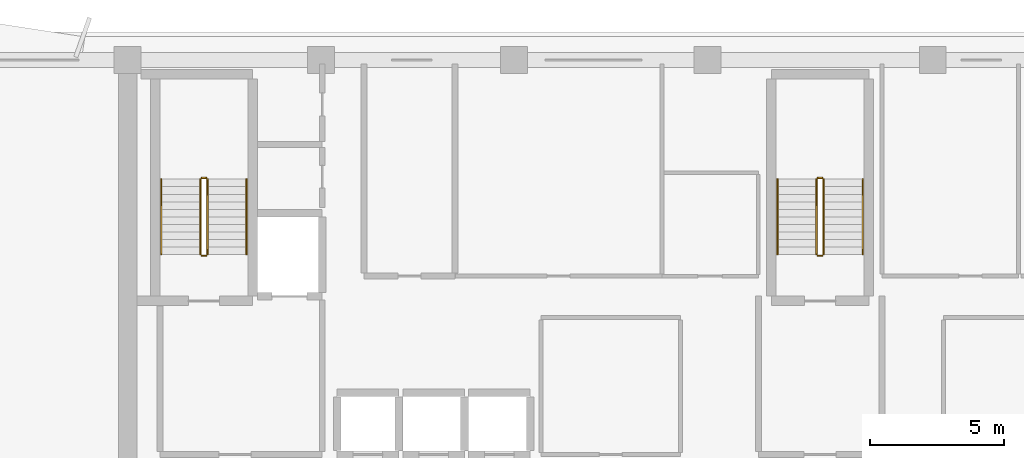
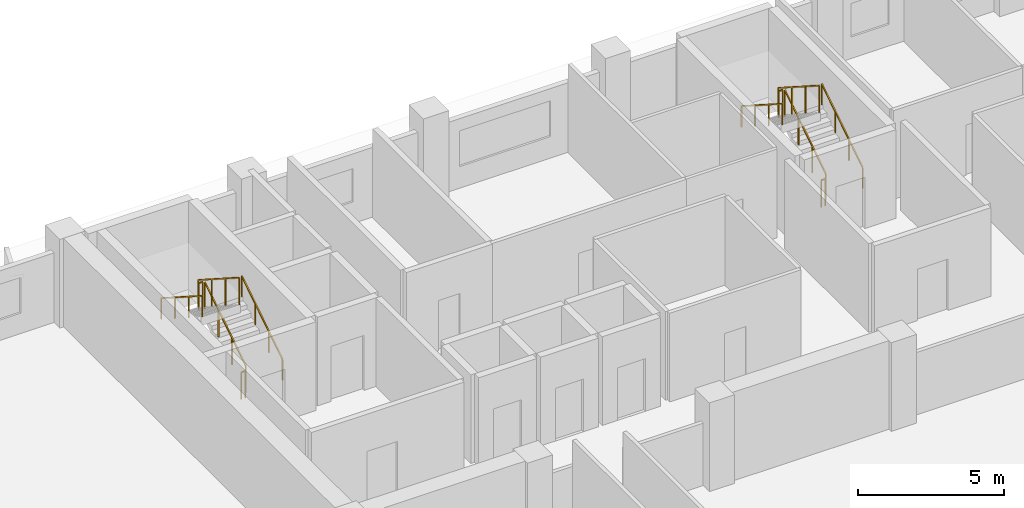
# One storey, part 10 of 11: 12 railings.
"""IFC4 building model written with IfcOpenShell, lengths in metres."""

from ifc_helpers import new_model, si_unit, direction, frame, origin, origin_2d, place, context, subcontext, project, spatial, rectangle, extrude, material, type_object, element, save


model = new_model("IFC4")

# Units and contexts
model_context = context("Model", 3, precision=1e-05, world=origin(), true_north=direction((0.0, 1.0)))
body_context = subcontext(model_context, "Body", "Model", "MODEL_VIEW")
ifc_project = project(units=[si_unit("LENGTHUNIT", "METRE"), si_unit("AREAUNIT", "SQUARE_METRE"), si_unit("VOLUMEUNIT", "CUBIC_METRE"), si_unit("PLANEANGLEUNIT", "RADIAN"), si_unit("MASSUNIT", "GRAM", prefix="KILO")], contexts=[model_context])

# Site, building, storey
site_placement = place(None, origin())
site = spatial("IfcSite", under=ifc_project, at=site_placement, CompositionType="ELEMENT")
building_placement = place(site_placement, origin())
building = spatial("IfcBuilding", under=site, at=building_placement, Name="Kaelvorn Grand Hotel", CompositionType="ELEMENT")
storey_placement = place(building_placement, frame((0.0, 0.0, 241.0)))
storey = spatial("IfcBuildingStorey", under=building, at=storey_placement, Name="L59", CompositionType="ELEMENT", Elevation=241.0)

# Railings
ifc_material = material(Name="Stainless Steel", Category="steel")
railing_type_1 = type_object("IfcRailingType", Name="RL-HANDRAIL-900", PredefinedType="HANDRAIL", material=ifc_material)
railing_1_placement = place(storey_placement, frame((20.6298828125, 41.760009765625, 0.179443359375)))
element("IfcRailing", 1, at=railing_1_placement, inside=storey, type_object=railing_type_1, Name="L59 ST1 stair handrail 1", PredefinedType="HANDRAIL", context=body_context, shape_type="SweptSolid", body=[
    extrude(rectangle(XDim=0.048095703125, YDim=0.048095703125, at=origin_2d()), frame((0.0, 0.0, 0.8759765625), z_axis=(0.0, 0.841776520102, 0.539826166654), x_axis=(-1.0, 0.0, 0.0)), (0.0, 0.0, 1.0), 3.326416015625),
    extrude(rectangle(XDim=0.0419921875, YDim=0.0419921875, at=origin_2d()), origin(), (0.0, 0.0, 1.0), 0.851806640625),
    extrude(rectangle(XDim=0.0419921875, YDim=0.0419921875, at=origin_2d()), frame((0.0, 0.933349609375, 0.5986328125)), (0.0, 0.0, 1.0), 0.851806640625),
    extrude(rectangle(XDim=0.0419921875, YDim=0.0419921875, at=origin_2d()), frame((0.0, 1.86669921875, 1.197021484375)), (0.0, 0.0, 1.0), 0.851806640625),
    extrude(rectangle(XDim=0.0419921875, YDim=0.0419921875, at=origin_2d()), frame((0.0, 2.800048828125, 1.795654296875)), (0.0, 0.0, 1.0), 0.851806640625),
])
railing_2_placement = place(storey_placement, frame((17.449951171875, 44.56005859375, 2.154541015625)))
element("IfcRailing", 2, at=railing_2_placement, inside=storey, type_object=railing_type_1, Name="L59 ST1 stair handrail 2", PredefinedType="HANDRAIL", context=body_context, shape_type="SweptSolid", body=[
    extrude(rectangle(XDim=0.048095703125, YDim=0.048095703125, at=origin_2d()), frame((0.0, 0.0, 0.8759765625), z_axis=(0.0, -0.841809871826, 0.539774156196), x_axis=(1.0, 0.0, 0.0)), (0.0, 0.0, 1.0), 3.326171875),
    extrude(rectangle(XDim=0.0419921875, YDim=0.0419921875, at=origin_2d()), origin(), (0.0, 0.0, 1.0), 0.851806640625),
    extrude(rectangle(XDim=0.0419921875, YDim=0.0419921875, at=origin_2d()), frame((0.0, -0.933349609375, 0.598388671875)), (0.0, 0.0, 1.0), 0.851806640625),
    extrude(rectangle(XDim=0.0419921875, YDim=0.0419921875, at=origin_2d()), frame((0.0, -1.86669921875, 1.197021484375)), (0.0, 0.0, 1.0), 0.851806640625),
    extrude(rectangle(XDim=0.0419921875, YDim=0.0419921875, at=origin_2d()), frame((0.0, -2.800048828125, 1.79541015625)), (0.0, 0.0, 1.0), 0.851806640625),
])
railing_3_placement = place(storey_placement, frame((43.590087890625, 41.760009765625, 0.179443359375)))
element("IfcRailing", 3, at=railing_3_placement, inside=storey, type_object=railing_type_1, Name="L59 ST2 stair handrail 1", PredefinedType="HANDRAIL", context=body_context, shape_type="SweptSolid", body=[
    extrude(rectangle(XDim=0.048095703125, YDim=0.048095703125, at=origin_2d()), frame((0.0, 0.0, 0.8759765625), z_axis=(0.0, 0.841776520102, 0.539826166654), x_axis=(-1.0, 0.0, 0.0)), (0.0, 0.0, 1.0), 3.326416015625),
    extrude(rectangle(XDim=0.0419921875, YDim=0.0419921875, at=origin_2d()), origin(), (0.0, 0.0, 1.0), 0.851806640625),
    extrude(rectangle(XDim=0.0419921875, YDim=0.0419921875, at=origin_2d()), frame((0.0, 0.933349609375, 0.5986328125)), (0.0, 0.0, 1.0), 0.851806640625),
    extrude(rectangle(XDim=0.0419921875, YDim=0.0419921875, at=origin_2d()), frame((0.0, 1.86669921875, 1.197021484375)), (0.0, 0.0, 1.0), 0.851806640625),
    extrude(rectangle(XDim=0.0419921875, YDim=0.0419921875, at=origin_2d()), frame((0.0, 2.800048828125, 1.795654296875)), (0.0, 0.0, 1.0), 0.851806640625),
])
railing_4_placement = place(storey_placement, frame((40.409912109375, 44.56005859375, 2.154541015625)))
element("IfcRailing", 4, at=railing_4_placement, inside=storey, type_object=railing_type_1, Name="L59 ST2 stair handrail 2", PredefinedType="HANDRAIL", context=body_context, shape_type="SweptSolid", body=[
    extrude(rectangle(XDim=0.048095703125, YDim=0.048095703125, at=origin_2d()), frame((0.0, 0.0, 0.8759765625), z_axis=(0.0, -0.841809871826, 0.539774156196), x_axis=(1.0, 0.0, 0.0)), (0.0, 0.0, 1.0), 3.326171875),
    extrude(rectangle(XDim=0.0419921875, YDim=0.0419921875, at=origin_2d()), origin(), (0.0, 0.0, 1.0), 0.851806640625),
    extrude(rectangle(XDim=0.0419921875, YDim=0.0419921875, at=origin_2d()), frame((0.0, -0.933349609375, 0.598388671875)), (0.0, 0.0, 1.0), 0.851806640625),
    extrude(rectangle(XDim=0.0419921875, YDim=0.0419921875, at=origin_2d()), frame((0.0, -1.86669921875, 1.197021484375)), (0.0, 0.0, 1.0), 0.851806640625),
    extrude(rectangle(XDim=0.0419921875, YDim=0.0419921875, at=origin_2d()), frame((0.0, -2.800048828125, 1.79541015625)), (0.0, 0.0, 1.0), 0.851806640625),
])
railing_type_2 = type_object("IfcRailingType", Name="RL-STAIR-GUARD-1150", PredefinedType="BALUSTRADE", material=ifc_material)
railing_5_placement = place(storey_placement, frame((19.169921875, 41.760009765625, 0.179443359375)))
element("IfcRailing", 5, at=railing_5_placement, inside=storey, type_object=railing_type_2, Name="L59 ST1 stair guard 1", PredefinedType="BALUSTRADE", context=body_context, shape_type="SweptSolid", body=[
    extrude(rectangle(XDim=0.048095703125, YDim=0.048095703125, at=origin_2d()), frame((0.0, 0.0, 1.1259765625), z_axis=(0.0, 0.841776520102, 0.539826166654), x_axis=(-1.0, 0.0, 0.0)), (0.0, 0.0, 1.0), 3.326416015625),
    extrude(rectangle(XDim=0.0419921875, YDim=0.0419921875, at=origin_2d()), origin(), (0.0, 0.0, 1.0), 1.101806640625),
    extrude(rectangle(XDim=0.0419921875, YDim=0.0419921875, at=origin_2d()), frame((0.0, 0.933349609375, 0.5986328125)), (0.0, 0.0, 1.0), 1.101806640625),
    extrude(rectangle(XDim=0.0419921875, YDim=0.0419921875, at=origin_2d()), frame((0.0, 1.86669921875, 1.197021484375)), (0.0, 0.0, 1.0), 1.101806640625),
    extrude(rectangle(XDim=0.0419921875, YDim=0.0419921875, at=origin_2d()), frame((0.0, 2.800048828125, 1.795654296875)), (0.0, 0.0, 1.0), 1.101806640625),
])
railing_6_placement = place(storey_placement, frame((19.1201171875, 44.610107421875, 1.97509765625)))
element("IfcRailing", 6, at=railing_6_placement, inside=storey, type_object=railing_type_2, Name="L59 ST1 stair guard 2", PredefinedType="BALUSTRADE", context=body_context, shape_type="SweptSolid", body=[
    extrude(rectangle(XDim=0.048095703125, YDim=0.048095703125, at=origin_2d()), frame((0.0, 0.0, 1.1259765625), z_axis=(-1.0, 0.0, 0.0), x_axis=(0.0, -1.0, 0.0)), (0.0, 0.0, 1.0), 0.16015625),
    extrude(rectangle(XDim=0.0419921875, YDim=0.0419921875, at=origin_2d()), origin(), (0.0, 0.0, 1.0), 1.101806640625),
    extrude(rectangle(XDim=0.0419921875, YDim=0.0419921875, at=origin_2d()), frame((-0.16015625, 0.0, 0.0)), (0.0, 0.0, 1.0), 1.101806640625),
])
railing_7_placement = place(storey_placement, frame((18.909912109375, 44.56005859375, 2.154541015625)))
element("IfcRailing", 7, at=railing_7_placement, inside=storey, type_object=railing_type_2, Name="L59 ST1 stair guard 3", PredefinedType="BALUSTRADE", context=body_context, shape_type="SweptSolid", body=[
    extrude(rectangle(XDim=0.048095703125, YDim=0.048095703125, at=origin_2d()), frame((0.0, 0.0, 1.1259765625), z_axis=(0.0, -0.841809871826, 0.539774156196), x_axis=(1.0, 0.0, 0.0)), (0.0, 0.0, 1.0), 3.326171875),
    extrude(rectangle(XDim=0.0419921875, YDim=0.0419921875, at=origin_2d()), origin(), (0.0, 0.0, 1.0), 1.101806640625),
    extrude(rectangle(XDim=0.0419921875, YDim=0.0419921875, at=origin_2d()), frame((0.0, -0.933349609375, 0.598388671875)), (0.0, 0.0, 1.0), 1.101806640625),
    extrude(rectangle(XDim=0.0419921875, YDim=0.0419921875, at=origin_2d()), frame((0.0, -1.86669921875, 1.197021484375)), (0.0, 0.0, 1.0), 1.101806640625),
    extrude(rectangle(XDim=0.0419921875, YDim=0.0419921875, at=origin_2d()), frame((0.0, -2.800048828125, 1.79541015625)), (0.0, 0.0, 1.0), 1.101806640625),
])
railing_8_placement = place(storey_placement, frame((19.1201171875, 41.7099609375, 0.0)))
element("IfcRailing", 8, at=railing_8_placement, inside=storey, type_object=railing_type_2, Name="L59 ST1 stair guard 4", PredefinedType="BALUSTRADE", context=body_context, shape_type="SweptSolid", body=[
    extrude(rectangle(XDim=0.048095703125, YDim=0.048095703125, at=origin_2d()), frame((0.0, 0.0, 1.1259765625), z_axis=(-1.0, 0.0, 0.0), x_axis=(0.0, -1.0, 0.0)), (0.0, 0.0, 1.0), 0.16015625),
    extrude(rectangle(XDim=0.0419921875, YDim=0.0419921875, at=origin_2d()), origin(), (0.0, 0.0, 1.0), 1.101806640625),
    extrude(rectangle(XDim=0.0419921875, YDim=0.0419921875, at=origin_2d()), frame((-0.16015625, 0.0, 0.0)), (0.0, 0.0, 1.0), 1.101806640625),
])
railing_9_placement = place(storey_placement, frame((42.1298828125, 41.760009765625, 0.179443359375)))
element("IfcRailing", 9, at=railing_9_placement, inside=storey, type_object=railing_type_2, Name="L59 ST2 stair guard 1", PredefinedType="BALUSTRADE", context=body_context, shape_type="SweptSolid", body=[
    extrude(rectangle(XDim=0.048095703125, YDim=0.048095703125, at=origin_2d()), frame((0.0, 0.0, 1.1259765625), z_axis=(0.0, 0.841776520102, 0.539826166654), x_axis=(-1.0, 0.0, 0.0)), (0.0, 0.0, 1.0), 3.326416015625),
    extrude(rectangle(XDim=0.0419921875, YDim=0.0419921875, at=origin_2d()), origin(), (0.0, 0.0, 1.0), 1.101806640625),
    extrude(rectangle(XDim=0.0419921875, YDim=0.0419921875, at=origin_2d()), frame((0.0, 0.933349609375, 0.5986328125)), (0.0, 0.0, 1.0), 1.101806640625),
    extrude(rectangle(XDim=0.0419921875, YDim=0.0419921875, at=origin_2d()), frame((0.0, 1.86669921875, 1.197021484375)), (0.0, 0.0, 1.0), 1.101806640625),
    extrude(rectangle(XDim=0.0419921875, YDim=0.0419921875, at=origin_2d()), frame((0.0, 2.800048828125, 1.795654296875)), (0.0, 0.0, 1.0), 1.101806640625),
])
railing_10_placement = place(storey_placement, frame((42.080078125, 44.610107421875, 1.97509765625)))
element("IfcRailing", 10, at=railing_10_placement, inside=storey, type_object=railing_type_2, Name="L59 ST2 stair guard 2", PredefinedType="BALUSTRADE", context=body_context, shape_type="SweptSolid", body=[
    extrude(rectangle(XDim=0.048095703125, YDim=0.048095703125, at=origin_2d()), frame((0.0, 0.0, 1.1259765625), z_axis=(-1.0, 0.0, 0.0), x_axis=(0.0, -1.0, 0.0)), (0.0, 0.0, 1.0), 0.16015625),
    extrude(rectangle(XDim=0.0419921875, YDim=0.0419921875, at=origin_2d()), origin(), (0.0, 0.0, 1.0), 1.101806640625),
    extrude(rectangle(XDim=0.0419921875, YDim=0.0419921875, at=origin_2d()), frame((-0.16015625, 0.0, 0.0)), (0.0, 0.0, 1.0), 1.101806640625),
])
railing_11_placement = place(storey_placement, frame((41.8701171875, 44.56005859375, 2.154541015625)))
element("IfcRailing", 11, at=railing_11_placement, inside=storey, type_object=railing_type_2, Name="L59 ST2 stair guard 3", PredefinedType="BALUSTRADE", context=body_context, shape_type="SweptSolid", body=[
    extrude(rectangle(XDim=0.048095703125, YDim=0.048095703125, at=origin_2d()), frame((0.0, 0.0, 1.1259765625), z_axis=(0.0, -0.841809871826, 0.539774156196), x_axis=(1.0, 0.0, 0.0)), (0.0, 0.0, 1.0), 3.326171875),
    extrude(rectangle(XDim=0.0419921875, YDim=0.0419921875, at=origin_2d()), origin(), (0.0, 0.0, 1.0), 1.101806640625),
    extrude(rectangle(XDim=0.0419921875, YDim=0.0419921875, at=origin_2d()), frame((0.0, -0.933349609375, 0.598388671875)), (0.0, 0.0, 1.0), 1.101806640625),
    extrude(rectangle(XDim=0.0419921875, YDim=0.0419921875, at=origin_2d()), frame((0.0, -1.86669921875, 1.197021484375)), (0.0, 0.0, 1.0), 1.101806640625),
    extrude(rectangle(XDim=0.0419921875, YDim=0.0419921875, at=origin_2d()), frame((0.0, -2.800048828125, 1.79541015625)), (0.0, 0.0, 1.0), 1.101806640625),
])
railing_12_placement = place(storey_placement, frame((42.080078125, 41.7099609375, 0.0)))
element("IfcRailing", 12, at=railing_12_placement, inside=storey, type_object=railing_type_2, Name="L59 ST2 stair guard 4", PredefinedType="BALUSTRADE", context=body_context, shape_type="SweptSolid", body=[
    extrude(rectangle(XDim=0.048095703125, YDim=0.048095703125, at=origin_2d()), frame((0.0, 0.0, 1.1259765625), z_axis=(-1.0, 0.0, 0.0), x_axis=(0.0, -1.0, 0.0)), (0.0, 0.0, 1.0), 0.16015625),
    extrude(rectangle(XDim=0.0419921875, YDim=0.0419921875, at=origin_2d()), origin(), (0.0, 0.0, 1.0), 1.101806640625),
    extrude(rectangle(XDim=0.0419921875, YDim=0.0419921875, at=origin_2d()), frame((-0.16015625, 0.0, 0.0)), (0.0, 0.0, 1.0), 1.101806640625),
])

save(model, "model.ifc")
